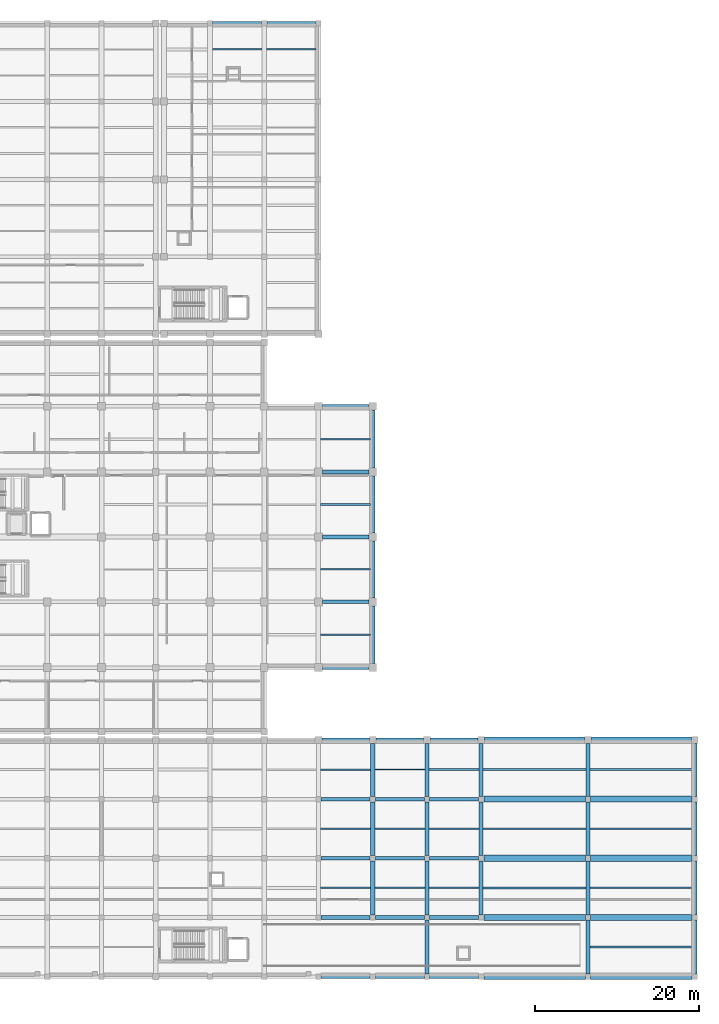
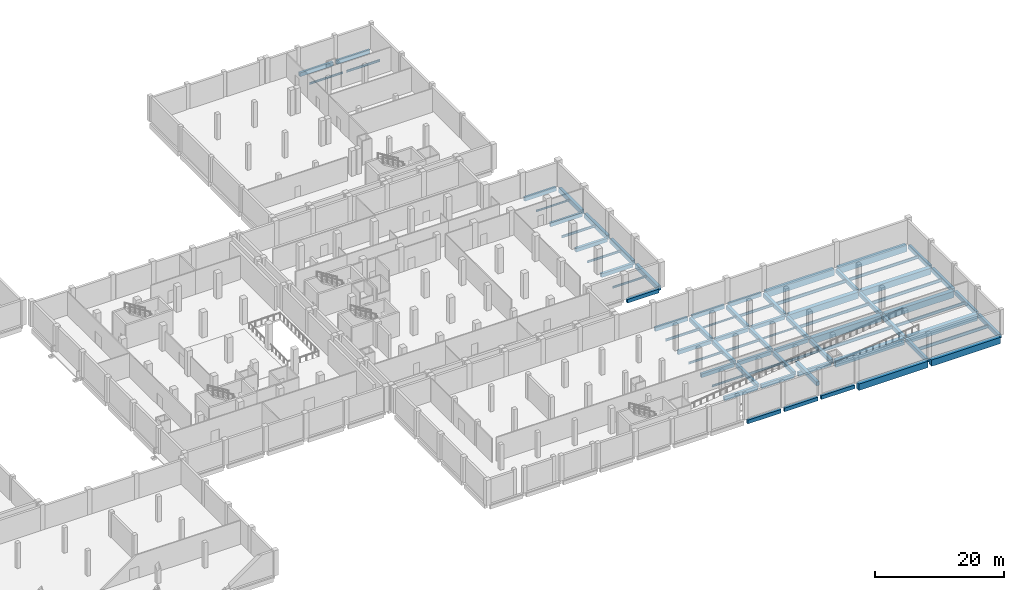
# One storey, part 10 of 31: 76 beams.
"""IFC4 building model written with IfcOpenShell, lengths in metres."""

from ifc_helpers import new_model, si_unit, direction, frame, origin, origin_2d, place, context, subcontext, project, spatial, rectangle, i_section, extrude, material, material_profile, profile_set, type_object, element, save


model = new_model("IFC4")

# Units and contexts
model_context = context("Model", 3, precision=1e-05, world=origin(), true_north=direction((0.0, 1.0)))
body_context = subcontext(model_context, "Body", "Model", "MODEL_VIEW")
ifc_project = project(units=[si_unit("LENGTHUNIT", "METRE"), si_unit("AREAUNIT", "SQUARE_METRE"), si_unit("VOLUMEUNIT", "CUBIC_METRE"), si_unit("PLANEANGLEUNIT", "RADIAN"), si_unit("MASSUNIT", "GRAM", prefix="KILO")], contexts=[model_context])

# Site, building, storey
site_placement = place(None, origin())
site = spatial("IfcSite", under=ifc_project, at=site_placement, CompositionType="ELEMENT")
building_placement = place(site_placement, origin())
building = spatial("IfcBuilding", under=site, at=building_placement, Name="Kelarvand Opera House", CompositionType="ELEMENT")
storey_placement = place(building_placement, frame((0.0, 0.0, -4.800048828125)))
storey = spatial("IfcBuildingStorey", under=building, at=storey_placement, Name="B1", CompositionType="ELEMENT", Elevation=-4.800048828125)

# Beams
ifc_material_1 = material(Name="Concrete C40/50", Category="concrete")
ifc_material_profile_1 = material_profile(ifc_material_1, rectangle(XDim=0.449951171875, YDim=0.699951171875, at=origin_2d()), Name="RC 450x700", Category="concrete")
ifc_profile_set_1 = profile_set([ifc_material_profile_1], Name="Concrete C40/50")
beam_type_1 = type_object("IfcBeamType", Name="Structural Beam RC 450x700 BM-RC450x700", PredefinedType="BEAM", material=ifc_profile_set_1)
for number, where, z_axis, x_axis, name in (
    (1, (135.675048828125, 46.60009765625, -0.64990234375), (1.0, 0.0, 0.0), (0.0, 1.0, 0.0), "V1 B1 Beam BM-RC450x700"),
    (2, (135.675048828125, 54.60009765625, -0.64990234375), (1.0, 0.0, 0.0), (0.0, 1.0, 0.0), "V1 B1 Beam BM-RC450x700"),
    (3, (135.675048828125, 62.5, -0.64990234375), (1.0, 0.0, 0.0), (0.0, 1.0, 0.0), "V1 B1 Beam BM-RC450x700"),
    (4, (135.675048828125, 70.39990234375, -0.64990234375), (1.0, 0.0, 0.0), (0.0, 1.0, 0.0), "V1 B1 Beam BM-RC450x700"),
    (5, (135.675048828125, 78.39990234375, -0.64990234375), (1.0, 0.0, 0.0), (0.0, 1.0, 0.0), "V1 B1 Beam BM-RC450x700"),
):
    element("IfcBeam", number, at=place(storey_placement, frame(where, z_axis=z_axis, x_axis=x_axis)), inside=storey, type_object=beam_type_1, Name=name, PredefinedType="BEAM", context=body_context, shape_type="SweptSolid", body=[
        extrude(rectangle(XDim=0.449951171875, YDim=0.699951171875, at=origin_2d()), origin(), (0.0, 0.0, 1.0), 5.64990234375),
    ])
for number, where, z_axis, x_axis, name in (
    (6, (122.324951171875, 125.0, -0.64990234375), (1.0, 0.0, 0.0), (0.0, 1.0, 0.0), "V5 B1 Beam BM-RC450x700"),
    (7, (128.925048828125, 125.0, -0.64990234375), (1.0, 0.0, 0.0), (0.0, 1.0, 0.0), "V5 B1 Beam BM-RC450x700"),
):
    element("IfcBeam", number, at=place(storey_placement, frame(where, z_axis=z_axis, x_axis=x_axis)), inside=storey, type_object=beam_type_1, Name=name, PredefinedType="BEAM", context=body_context, shape_type="SweptSolid", body=[
        extrude(rectangle(XDim=0.449951171875, YDim=0.699951171875, at=origin_2d()), origin(), (0.0, 0.0, 1.0), 5.949951171875),
    ])
beam_1_placement = place(storey_placement, frame((135.52490234375, 9.0, -0.64990234375), z_axis=(1.0, 0.0, 0.0), x_axis=(0.0, 1.0, 0.0)))
element("IfcBeam", 8, at=beam_1_placement, inside=storey, type_object=beam_type_1, Name="V6 B1 Beam BM-RC450x700", PredefinedType="BEAM", context=body_context, shape_type="SweptSolid", body=[
    extrude(rectangle(XDim=0.449951171875, YDim=0.699951171875, at=origin_2d()), origin(), (0.0, 0.0, 1.0), 5.9501953125),
])
for number, where, z_axis, x_axis, name in (
    (9, (142.125, 9.0, -0.64990234375), (1.0, 0.0, 0.0), (0.0, 1.0, 0.0), "V6 B1 Beam BM-RC450x700"),
    (10, (148.72509765625, 9.0, -0.64990234375), (1.0, 0.0, 0.0), (0.0, 1.0, 0.0), "V6 B1 Beam BM-RC450x700"),
):
    element("IfcBeam", number, at=place(storey_placement, frame(where, z_axis=z_axis, x_axis=x_axis)), inside=storey, type_object=beam_type_1, Name=name, PredefinedType="BEAM", context=body_context, shape_type="SweptSolid", body=[
        extrude(rectangle(XDim=0.449951171875, YDim=0.699951171875, at=origin_2d()), origin(), (0.0, 0.0, 1.0), 5.949951171875),
    ])
beam_2_placement = place(storey_placement, frame((135.52490234375, 16.199951171875, -0.64990234375), z_axis=(1.0, 0.0, 0.0), x_axis=(0.0, 1.0, 0.0)))
element("IfcBeam", 11, at=beam_2_placement, inside=storey, type_object=beam_type_1, Name="V6 B1 Beam BM-RC450x700", PredefinedType="BEAM", context=body_context, shape_type="SweptSolid", body=[
    extrude(rectangle(XDim=0.449951171875, YDim=0.699951171875, at=origin_2d()), origin(), (0.0, 0.0, 1.0), 5.9501953125),
])
for number, where, z_axis, x_axis, name in (
    (12, (142.125, 16.199951171875, -0.64990234375), (1.0, 0.0, 0.0), (0.0, 1.0, 0.0), "V6 B1 Beam BM-RC450x700"),
    (13, (148.72509765625, 16.199951171875, -0.64990234375), (1.0, 0.0, 0.0), (0.0, 1.0, 0.0), "V6 B1 Beam BM-RC450x700"),
):
    element("IfcBeam", number, at=place(storey_placement, frame(where, z_axis=z_axis, x_axis=x_axis)), inside=storey, type_object=beam_type_1, Name=name, PredefinedType="BEAM", context=body_context, shape_type="SweptSolid", body=[
        extrude(rectangle(XDim=0.449951171875, YDim=0.699951171875, at=origin_2d()), origin(), (0.0, 0.0, 1.0), 5.949951171875),
    ])
beam_3_placement = place(storey_placement, frame((135.52490234375, 23.39990234375, -0.64990234375), z_axis=(1.0, 0.0, 0.0), x_axis=(0.0, 1.0, 0.0)))
element("IfcBeam", 14, at=beam_3_placement, inside=storey, type_object=beam_type_1, Name="V6 B1 Beam BM-RC450x700", PredefinedType="BEAM", context=body_context, shape_type="SweptSolid", body=[
    extrude(rectangle(XDim=0.449951171875, YDim=0.699951171875, at=origin_2d()), origin(), (0.0, 0.0, 1.0), 5.9501953125),
])
for number, where, z_axis, x_axis, name in (
    (15, (142.125, 23.39990234375, -0.64990234375), (1.0, 0.0, 0.0), (0.0, 1.0, 0.0), "V6 B1 Beam BM-RC450x700"),
    (16, (148.72509765625, 23.39990234375, -0.64990234375), (1.0, 0.0, 0.0), (0.0, 1.0, 0.0), "V6 B1 Beam BM-RC450x700"),
):
    element("IfcBeam", number, at=place(storey_placement, frame(where, z_axis=z_axis, x_axis=x_axis)), inside=storey, type_object=beam_type_1, Name=name, PredefinedType="BEAM", context=body_context, shape_type="SweptSolid", body=[
        extrude(rectangle(XDim=0.449951171875, YDim=0.699951171875, at=origin_2d()), origin(), (0.0, 0.0, 1.0), 5.949951171875),
    ])
beam_4_placement = place(storey_placement, frame((135.52490234375, 30.60009765625, -0.64990234375), z_axis=(1.0, 0.0, 0.0), x_axis=(0.0, 1.0, 0.0)))
element("IfcBeam", 17, at=beam_4_placement, inside=storey, type_object=beam_type_1, Name="V6 B1 Beam BM-RC450x700", PredefinedType="BEAM", context=body_context, shape_type="SweptSolid", body=[
    extrude(rectangle(XDim=0.449951171875, YDim=0.699951171875, at=origin_2d()), origin(), (0.0, 0.0, 1.0), 5.9501953125),
])
for number, where, z_axis, x_axis, name in (
    (18, (142.125, 30.60009765625, -0.64990234375), (1.0, 0.0, 0.0), (0.0, 1.0, 0.0), "V6 B1 Beam BM-RC450x700"),
    (19, (148.72509765625, 30.60009765625, -0.64990234375), (1.0, 0.0, 0.0), (0.0, 1.0, 0.0), "V6 B1 Beam BM-RC450x700"),
):
    element("IfcBeam", number, at=place(storey_placement, frame(where, z_axis=z_axis, x_axis=x_axis)), inside=storey, type_object=beam_type_1, Name=name, PredefinedType="BEAM", context=body_context, shape_type="SweptSolid", body=[
        extrude(rectangle(XDim=0.449951171875, YDim=0.699951171875, at=origin_2d()), origin(), (0.0, 0.0, 1.0), 5.949951171875),
    ])
beam_5_placement = place(storey_placement, frame((135.610107421875, 37.800048828125, -0.64990234375), z_axis=(1.0, 0.0, 0.0), x_axis=(0.0, 1.0, 0.0)))
element("IfcBeam", 20, at=beam_5_placement, inside=storey, type_object=beam_type_1, Name="V6 B1 Beam BM-RC450x700", PredefinedType="BEAM", context=body_context, shape_type="SweptSolid", body=[
    extrude(rectangle(XDim=0.449951171875, YDim=0.699951171875, at=origin_2d()), origin(), (0.0, 0.0, 1.0), 5.77978515625),
])
for number, where, z_axis, x_axis, name in (
    (21, (142.2099609375, 37.800048828125, -0.64990234375), (1.0, 0.0, 0.0), (0.0, 1.0, 0.0), "V6 B1 Beam BM-RC450x700"),
    (22, (148.81005859375, 37.800048828125, -0.64990234375), (1.0, 0.0, 0.0), (0.0, 1.0, 0.0), "V6 B1 Beam BM-RC450x700"),
):
    element("IfcBeam", number, at=place(storey_placement, frame(where, z_axis=z_axis, x_axis=x_axis)), inside=storey, type_object=beam_type_1, Name=name, PredefinedType="BEAM", context=body_context, shape_type="SweptSolid", body=[
        extrude(rectangle(XDim=0.449951171875, YDim=0.699951171875, at=origin_2d()), origin(), (0.0, 0.0, 1.0), 5.780029296875),
    ])
ifc_material_profile_2 = material_profile(ifc_material_1, rectangle(XDim=0.5, YDim=0.75, at=origin_2d()), Name="RC 500x750", Category="concrete")
ifc_profile_set_2 = profile_set([ifc_material_profile_2], Name="Concrete C40/50")
beam_type_2 = type_object("IfcBeamType", Name="Structural Beam RC 500x750 BM-RC500x750", PredefinedType="BEAM", material=ifc_profile_set_2)
beam_6_placement = place(storey_placement, frame((141.800048828125, 16.52490234375, -0.675048828125), z_axis=(0.0, 1.0, 0.0), x_axis=(-1.0, 0.0, 0.0)))
element("IfcBeam", 23, at=beam_6_placement, inside=storey, type_object=beam_type_2, Name="V6 B1 Beam BM-RC500x750", PredefinedType="BEAM", context=body_context, shape_type="SweptSolid", body=[
    extrude(rectangle(XDim=0.5, YDim=0.75, at=origin_2d()), origin(), (0.0, 0.0, 1.0), 6.550048828125),
])
beam_7_placement = place(storey_placement, frame((141.800048828125, 23.72509765625, -0.675048828125), z_axis=(0.0, 1.0, 0.0), x_axis=(-1.0, 0.0, 0.0)))
element("IfcBeam", 24, at=beam_7_placement, inside=storey, type_object=beam_type_2, Name="V6 B1 Beam BM-RC500x750", PredefinedType="BEAM", context=body_context, shape_type="SweptSolid", body=[
    extrude(rectangle(XDim=0.5, YDim=0.75, at=origin_2d()), origin(), (0.0, 0.0, 1.0), 6.5498046875),
])
beam_8_placement = place(storey_placement, frame((141.800048828125, 30.925048828125, -0.675048828125), z_axis=(0.0, 1.0, 0.0), x_axis=(-1.0, 0.0, 0.0)))
element("IfcBeam", 25, at=beam_8_placement, inside=storey, type_object=beam_type_2, Name="V6 B1 Beam BM-RC500x750", PredefinedType="BEAM", context=body_context, shape_type="SweptSolid", body=[
    extrude(rectangle(XDim=0.5, YDim=0.75, at=origin_2d()), origin(), (0.0, 0.0, 1.0), 6.46484375),
])
beam_9_placement = place(storey_placement, frame((148.39990234375, 16.52490234375, -0.675048828125), z_axis=(0.0, 1.0, 0.0), x_axis=(-1.0, 0.0, 0.0)))
element("IfcBeam", 26, at=beam_9_placement, inside=storey, type_object=beam_type_2, Name="V6 B1 Beam BM-RC500x750", PredefinedType="BEAM", context=body_context, shape_type="SweptSolid", body=[
    extrude(rectangle(XDim=0.5, YDim=0.75, at=origin_2d()), origin(), (0.0, 0.0, 1.0), 6.550048828125),
])
beam_10_placement = place(storey_placement, frame((148.39990234375, 23.72509765625, -0.675048828125), z_axis=(0.0, 1.0, 0.0), x_axis=(-1.0, 0.0, 0.0)))
element("IfcBeam", 27, at=beam_10_placement, inside=storey, type_object=beam_type_2, Name="V6 B1 Beam BM-RC500x750", PredefinedType="BEAM", context=body_context, shape_type="SweptSolid", body=[
    extrude(rectangle(XDim=0.5, YDim=0.75, at=origin_2d()), origin(), (0.0, 0.0, 1.0), 6.5498046875),
])
beam_11_placement = place(storey_placement, frame((148.39990234375, 30.925048828125, -0.675048828125), z_axis=(0.0, 1.0, 0.0), x_axis=(-1.0, 0.0, 0.0)))
element("IfcBeam", 28, at=beam_11_placement, inside=storey, type_object=beam_type_2, Name="V6 B1 Beam BM-RC500x750", PredefinedType="BEAM", context=body_context, shape_type="SweptSolid", body=[
    extrude(rectangle(XDim=0.5, YDim=0.75, at=origin_2d()), origin(), (0.0, 0.0, 1.0), 6.46484375),
])
beam_12_placement = place(storey_placement, frame((155.0, 16.52490234375, -0.675048828125), z_axis=(0.0, 1.0, 0.0), x_axis=(-1.0, 0.0, 0.0)))
element("IfcBeam", 29, at=beam_12_placement, inside=storey, type_object=beam_type_2, Name="V6 B1 Beam BM-RC500x750", PredefinedType="BEAM", context=body_context, shape_type="SweptSolid", body=[
    extrude(rectangle(XDim=0.5, YDim=0.75, at=origin_2d()), origin(), (0.0, 0.0, 1.0), 6.550048828125),
])
beam_13_placement = place(storey_placement, frame((155.0, 23.72509765625, -0.675048828125), z_axis=(0.0, 1.0, 0.0), x_axis=(-1.0, 0.0, 0.0)))
element("IfcBeam", 30, at=beam_13_placement, inside=storey, type_object=beam_type_2, Name="V6 B1 Beam BM-RC500x750", PredefinedType="BEAM", context=body_context, shape_type="SweptSolid", body=[
    extrude(rectangle(XDim=0.5, YDim=0.75, at=origin_2d()), origin(), (0.0, 0.0, 1.0), 6.5498046875),
])
beam_14_placement = place(storey_placement, frame((155.0, 30.925048828125, -0.675048828125), z_axis=(0.0, 1.0, 0.0), x_axis=(-1.0, 0.0, 0.0)))
element("IfcBeam", 31, at=beam_14_placement, inside=storey, type_object=beam_type_2, Name="V6 B1 Beam BM-RC500x750", PredefinedType="BEAM", context=body_context, shape_type="SweptSolid", body=[
    extrude(rectangle(XDim=0.5, YDim=0.75, at=origin_2d()), origin(), (0.0, 0.0, 1.0), 6.46484375),
])
for number, where, z_axis, x_axis, name in (
    (32, (168.0, 9.324951171875, -0.675048828125), (0.0, 1.0, 0.0), (-1.0, 0.0, 0.0), "V6 B1 Beam BM-RC500x750"),
    (33, (168.0, 16.52490234375, -0.675048828125), (0.0, 1.0, 0.0), (-1.0, 0.0, 0.0), "V6 B1 Beam BM-RC500x750"),
):
    element("IfcBeam", number, at=place(storey_placement, frame(where, z_axis=z_axis, x_axis=x_axis)), inside=storey, type_object=beam_type_2, Name=name, PredefinedType="BEAM", context=body_context, shape_type="SweptSolid", body=[
        extrude(rectangle(XDim=0.5, YDim=0.75, at=origin_2d()), origin(), (0.0, 0.0, 1.0), 6.550048828125),
    ])
beam_15_placement = place(storey_placement, frame((168.0, 23.72509765625, -0.675048828125), z_axis=(0.0, 1.0, 0.0), x_axis=(-1.0, 0.0, 0.0)))
element("IfcBeam", 34, at=beam_15_placement, inside=storey, type_object=beam_type_2, Name="V6 B1 Beam BM-RC500x750", PredefinedType="BEAM", context=body_context, shape_type="SweptSolid", body=[
    extrude(rectangle(XDim=0.5, YDim=0.75, at=origin_2d()), origin(), (0.0, 0.0, 1.0), 6.5498046875),
])
beam_16_placement = place(storey_placement, frame((168.0, 30.925048828125, -0.675048828125), z_axis=(0.0, 1.0, 0.0), x_axis=(-1.0, 0.0, 0.0)))
element("IfcBeam", 35, at=beam_16_placement, inside=storey, type_object=beam_type_2, Name="V6 B1 Beam BM-RC500x750", PredefinedType="BEAM", context=body_context, shape_type="SweptSolid", body=[
    extrude(rectangle(XDim=0.5, YDim=0.75, at=origin_2d()), origin(), (0.0, 0.0, 1.0), 6.46484375),
])
for number, where, z_axis, x_axis, name in (
    (36, (181.0, 9.324951171875, -0.675048828125), (0.0, 1.0, 0.0), (-1.0, 0.0, 0.0), "V6 B1 Beam BM-RC500x750"),
    (37, (181.0, 16.52490234375, -0.675048828125), (0.0, 1.0, 0.0), (-1.0, 0.0, 0.0), "V6 B1 Beam BM-RC500x750"),
):
    element("IfcBeam", number, at=place(storey_placement, frame(where, z_axis=z_axis, x_axis=x_axis)), inside=storey, type_object=beam_type_2, Name=name, PredefinedType="BEAM", context=body_context, shape_type="SweptSolid", body=[
        extrude(rectangle(XDim=0.5, YDim=0.75, at=origin_2d()), origin(), (0.0, 0.0, 1.0), 6.550048828125),
    ])
beam_17_placement = place(storey_placement, frame((181.0, 23.72509765625, -0.675048828125), z_axis=(0.0, 1.0, 0.0), x_axis=(-1.0, 0.0, 0.0)))
element("IfcBeam", 38, at=beam_17_placement, inside=storey, type_object=beam_type_2, Name="V6 B1 Beam BM-RC500x750", PredefinedType="BEAM", context=body_context, shape_type="SweptSolid", body=[
    extrude(rectangle(XDim=0.5, YDim=0.75, at=origin_2d()), origin(), (0.0, 0.0, 1.0), 6.5498046875),
])
beam_18_placement = place(storey_placement, frame((181.0, 30.925048828125, -0.675048828125), z_axis=(0.0, 1.0, 0.0), x_axis=(-1.0, 0.0, 0.0)))
element("IfcBeam", 39, at=beam_18_placement, inside=storey, type_object=beam_type_2, Name="V6 B1 Beam BM-RC500x750", PredefinedType="BEAM", context=body_context, shape_type="SweptSolid", body=[
    extrude(rectangle(XDim=0.5, YDim=0.75, at=origin_2d()), origin(), (0.0, 0.0, 1.0), 6.46484375),
])
beam_19_placement = place(storey_placement, frame((148.39990234375, 9.324951171875, 1.795166015625), z_axis=(0.0, 1.0, 0.0), x_axis=(-1.0, 0.0, 0.0)))
element("IfcBeam", 40, at=beam_19_placement, inside=storey, type_object=beam_type_2, Name="Vehicle Ramp Midspan Support Beam", PredefinedType="BEAM", context=body_context, shape_type="SweptSolid", body=[
    extrude(rectangle(XDim=0.5, YDim=0.75, at=origin_2d()), origin(), (0.0, 0.0, 1.0), 6.550048828125),
])
ifc_material_profile_3 = material_profile(ifc_material_1, rectangle(XDim=0.550048828125, YDim=0.85009765625, at=origin_2d()), Name="RC 550x850", Category="concrete")
ifc_profile_set_3 = profile_set([ifc_material_profile_3], Name="Concrete C40/50")
beam_type_3 = type_object("IfcBeamType", Name="Structural Beam RC 550x850 BM-RC550x850", PredefinedType="BEAM", material=ifc_profile_set_3)
beam_20_placement = place(storey_placement, frame((141.800048828125, 47.074951171875, -0.724853515625), z_axis=(0.0, 1.0, 0.0), x_axis=(-1.0, 0.0, 0.0)))
element("IfcBeam", 41, at=beam_20_placement, inside=storey, type_object=beam_type_3, Name="V1 B1 Beam BM-RC550x850", PredefinedType="BEAM", context=body_context, shape_type="SweptSolid", body=[
    extrude(rectangle(XDim=0.550048828125, YDim=0.85009765625, at=origin_2d()), origin(), (0.0, 0.0, 1.0), 7.050048828125),
])
for number, where, z_axis, x_axis, name in (
    (42, (141.800048828125, 55.074951171875, -0.724853515625), (0.0, 1.0, 0.0), (-1.0, 0.0, 0.0), "V1 B1 Beam BM-RC550x850"),
    (43, (141.800048828125, 62.97509765625, -0.724853515625), (0.0, 1.0, 0.0), (-1.0, 0.0, 0.0), "V1 B1 Beam BM-RC550x850"),
):
    element("IfcBeam", number, at=place(storey_placement, frame(where, z_axis=z_axis, x_axis=x_axis)), inside=storey, type_object=beam_type_3, Name=name, PredefinedType="BEAM", context=body_context, shape_type="SweptSolid", body=[
        extrude(rectangle(XDim=0.550048828125, YDim=0.85009765625, at=origin_2d()), origin(), (0.0, 0.0, 1.0), 6.949951171875),
    ])
beam_21_placement = place(storey_placement, frame((141.800048828125, 70.875, -0.724853515625), z_axis=(0.0, 1.0, 0.0), x_axis=(-1.0, 0.0, 0.0)))
element("IfcBeam", 44, at=beam_21_placement, inside=storey, type_object=beam_type_3, Name="V1 B1 Beam BM-RC550x850", PredefinedType="BEAM", context=body_context, shape_type="SweptSolid", body=[
    extrude(rectangle(XDim=0.550048828125, YDim=0.85009765625, at=origin_2d()), origin(), (0.0, 0.0, 1.0), 7.050048828125),
])
ifc_material_profile_4 = material_profile(ifc_material_1, rectangle(XDim=0.75, YDim=1.199951171875, at=origin_2d()), Name="RC 750x1200", Category="concrete")
ifc_profile_set_4 = profile_set([ifc_material_profile_4], Name="Concrete C40/50")
beam_type_4 = type_object("IfcBeamType", Name="Structural Beam RC 750x1200 BM-RC750x1200", PredefinedType="BEAM", material=ifc_profile_set_4)
for number, where, z_axis, x_axis, name in (
    (45, (155.324951171875, 9.0, -0.89990234375), (1.0, 0.0, 0.0), (0.0, 1.0, 0.0), "V6 B1 Beam BM-RC750x1200"),
    (46, (168.324951171875, 9.0, -0.89990234375), (1.0, 0.0, 0.0), (0.0, 1.0, 0.0), "V6 B1 Beam BM-RC750x1200"),
    (47, (155.324951171875, 16.199951171875, -0.89990234375), (1.0, 0.0, 0.0), (0.0, 1.0, 0.0), "V6 B1 Beam BM-RC750x1200"),
    (48, (168.324951171875, 16.199951171875, -0.89990234375), (1.0, 0.0, 0.0), (0.0, 1.0, 0.0), "V6 B1 Beam BM-RC750x1200"),
    (49, (155.324951171875, 23.39990234375, -0.89990234375), (1.0, 0.0, 0.0), (0.0, 1.0, 0.0), "V6 B1 Beam BM-RC750x1200"),
    (50, (168.324951171875, 23.39990234375, -0.89990234375), (1.0, 0.0, 0.0), (0.0, 1.0, 0.0), "V6 B1 Beam BM-RC750x1200"),
    (51, (155.324951171875, 30.60009765625, -0.89990234375), (1.0, 0.0, 0.0), (0.0, 1.0, 0.0), "V6 B1 Beam BM-RC750x1200"),
    (52, (168.324951171875, 30.60009765625, -0.89990234375), (1.0, 0.0, 0.0), (0.0, 1.0, 0.0), "V6 B1 Beam BM-RC750x1200"),
):
    element("IfcBeam", number, at=place(storey_placement, frame(where, z_axis=z_axis, x_axis=x_axis)), inside=storey, type_object=beam_type_4, Name=name, PredefinedType="BEAM", context=body_context, shape_type="SweptSolid", body=[
        extrude(rectangle(XDim=0.75, YDim=1.199951171875, at=origin_2d()), origin(), (0.0, 0.0, 1.0), 12.35009765625),
    ])
for number, where, z_axis, x_axis, name in (
    (53, (155.409912109375, 37.800048828125, -0.89990234375), (1.0, 0.0, 0.0), (0.0, 1.0, 0.0), "V6 B1 Beam BM-RC750x1200"),
    (54, (168.409912109375, 37.800048828125, -0.89990234375), (1.0, 0.0, 0.0), (0.0, 1.0, 0.0), "V6 B1 Beam BM-RC750x1200"),
):
    element("IfcBeam", number, at=place(storey_placement, frame(where, z_axis=z_axis, x_axis=x_axis)), inside=storey, type_object=beam_type_4, Name=name, PredefinedType="BEAM", context=body_context, shape_type="SweptSolid", body=[
        extrude(rectangle(XDim=0.75, YDim=1.199951171875, at=origin_2d()), origin(), (0.0, 0.0, 1.0), 12.18017578125),
    ])
ifc_material_2 = material(Name="Steel S355", Category="steel")
ifc_material_profile_5 = material_profile(ifc_material_2, i_section(OverallWidth=0.159912109375, OverallDepth=0.330078125, WebThickness=0.007568359375, FlangeThickness=0.011474609375, at=origin_2d()), Name="IPE 330", Category="steel")
ifc_profile_set_5 = profile_set([ifc_material_profile_5], Name="Steel S355")
beam_type_5 = type_object("IfcBeamType", Name="Structural Joist IPE 330 JS-IPE330", PredefinedType="JOIST", material=ifc_profile_set_5)
beam_22_placement = place(storey_placement, frame((135.47509765625, 74.39990234375, -0.46484375), z_axis=(1.0, 0.0, 0.0), x_axis=(0.0, 1.0, 0.0)))
element("IfcBeam", 55, at=beam_22_placement, inside=storey, type_object=beam_type_5, Name="V1 B1 Beam JS-IPE330", PredefinedType="JOIST", context=body_context, shape_type="SweptSolid", body=[
    extrude(i_section(OverallWidth=0.159912109375, OverallDepth=0.330078125, WebThickness=0.007568359375, FlangeThickness=0.011474609375, at=origin_2d()), origin(), (0.0, 0.0, 1.0), 6.0498046875),
])
beam_23_placement = place(storey_placement, frame((142.050048828125, 34.199951171875, -0.46484375), z_axis=(1.0, 0.0, 0.0), x_axis=(0.0, 1.0, 0.0)))
element("IfcBeam", 56, at=beam_23_placement, inside=storey, type_object=beam_type_5, Name="V6 B1 Beam JS-IPE330", PredefinedType="JOIST", context=body_context, shape_type="SweptSolid", body=[
    extrude(i_section(OverallWidth=0.159912109375, OverallDepth=0.330078125, WebThickness=0.007568359375, FlangeThickness=0.011474609375, at=origin_2d()), origin(), (0.0, 0.0, 1.0), 6.099853515625),
])
beam_24_placement = place(storey_placement, frame((148.64990234375, 27.0, -0.46484375), z_axis=(1.0, 0.0, 0.0), x_axis=(0.0, 1.0, 0.0)))
element("IfcBeam", 57, at=beam_24_placement, inside=storey, type_object=beam_type_5, Name="V6 B1 Beam JS-IPE330", PredefinedType="JOIST", context=body_context, shape_type="SweptSolid", body=[
    extrude(i_section(OverallWidth=0.159912109375, OverallDepth=0.330078125, WebThickness=0.007568359375, FlangeThickness=0.011474609375, at=origin_2d()), origin(), (0.0, 0.0, 1.0), 6.10009765625),
])
ifc_material_profile_6 = material_profile(ifc_material_2, i_section(OverallWidth=0.169921875, OverallDepth=0.360107421875, WebThickness=0.008056640625, FlangeThickness=0.0126953125, at=origin_2d()), Name="IPE 360", Category="steel")
ifc_profile_set_6 = profile_set([ifc_material_profile_6], Name="Steel S355")
beam_type_6 = type_object("IfcBeamType", Name="Structural Joist IPE 360 JS-IPE360", PredefinedType="JOIST", material=ifc_profile_set_6)
beam_25_placement = place(storey_placement, frame((135.47509765625, 50.60009765625, -0.47998046875), z_axis=(1.0, 0.0, 0.0), x_axis=(0.0, 1.0, 0.0)))
element("IfcBeam", 58, at=beam_25_placement, inside=storey, type_object=beam_type_6, Name="V1 B1 Beam JS-IPE360", PredefinedType="JOIST", context=body_context, shape_type="SweptSolid", body=[
    extrude(i_section(OverallWidth=0.169921875, OverallDepth=0.360107421875, WebThickness=0.008056640625, FlangeThickness=0.0126953125, at=origin_2d()), origin(), (0.0, 0.0, 1.0), 6.0498046875),
])
beam_26_placement = place(storey_placement, frame((122.300048828125, 121.833251953125, -0.47998046875), z_axis=(1.0, 0.0, 0.0), x_axis=(0.0, 1.0, 0.0)))
element("IfcBeam", 59, at=beam_26_placement, inside=storey, type_object=beam_type_6, Name="V5 B1 Beam JS-IPE360", PredefinedType="JOIST", context=body_context, shape_type="SweptSolid", body=[
    extrude(i_section(OverallWidth=0.169921875, OverallDepth=0.360107421875, WebThickness=0.008056640625, FlangeThickness=0.0126953125, at=origin_2d()), origin(), (0.0, 0.0, 1.0), 6.0),
])
beam_27_placement = place(storey_placement, frame((135.449951171875, 19.800048828125, -0.47998046875), z_axis=(1.0, 0.0, 0.0), x_axis=(0.0, 1.0, 0.0)))
element("IfcBeam", 60, at=beam_27_placement, inside=storey, type_object=beam_type_6, Name="V6 B1 Beam JS-IPE360", PredefinedType="JOIST", context=body_context, shape_type="SweptSolid", body=[
    extrude(i_section(OverallWidth=0.169921875, OverallDepth=0.360107421875, WebThickness=0.008056640625, FlangeThickness=0.0126953125, at=origin_2d()), origin(), (0.0, 0.0, 1.0), 6.10009765625),
])
ifc_material_profile_7 = material_profile(ifc_material_2, i_section(OverallWidth=0.179931640625, OverallDepth=0.39990234375, WebThickness=0.008544921875, FlangeThickness=0.013427734375, at=origin_2d()), Name="IPE 400", Category="steel")
ifc_profile_set_7 = profile_set([ifc_material_profile_7], Name="Steel S355")
beam_type_7 = type_object("IfcBeamType", Name="Structural Joist IPE 400 JS-IPE400", PredefinedType="JOIST", material=ifc_profile_set_7)
beam_28_placement = place(storey_placement, frame((135.47509765625, 58.550048828125, -0.5), z_axis=(1.0, 0.0, 0.0), x_axis=(0.0, 1.0, 0.0)))
element("IfcBeam", 61, at=beam_28_placement, inside=storey, type_object=beam_type_7, Name="V1 B1 Beam JS-IPE400", PredefinedType="JOIST", context=body_context, shape_type="SweptSolid", body=[
    extrude(i_section(OverallWidth=0.179931640625, OverallDepth=0.39990234375, WebThickness=0.008544921875, FlangeThickness=0.013427734375, at=origin_2d()), origin(), (0.0, 0.0, 1.0), 6.0498046875),
])
beam_29_placement = place(storey_placement, frame((128.89990234375, 121.833251953125, -0.5), z_axis=(1.0, 0.0, 0.0), x_axis=(0.0, 1.0, 0.0)))
element("IfcBeam", 62, at=beam_29_placement, inside=storey, type_object=beam_type_7, Name="V5 B1 Beam JS-IPE400", PredefinedType="JOIST", context=body_context, shape_type="SweptSolid", body=[
    extrude(i_section(OverallWidth=0.179931640625, OverallDepth=0.39990234375, WebThickness=0.008544921875, FlangeThickness=0.013427734375, at=origin_2d()), origin(), (0.0, 0.0, 1.0), 6.0),
])
beam_30_placement = place(storey_placement, frame((135.449951171875, 27.0, -0.5), z_axis=(1.0, 0.0, 0.0), x_axis=(0.0, 1.0, 0.0)))
element("IfcBeam", 63, at=beam_30_placement, inside=storey, type_object=beam_type_7, Name="V6 B1 Beam JS-IPE400", PredefinedType="JOIST", context=body_context, shape_type="SweptSolid", body=[
    extrude(i_section(OverallWidth=0.179931640625, OverallDepth=0.39990234375, WebThickness=0.008544921875, FlangeThickness=0.013427734375, at=origin_2d()), origin(), (0.0, 0.0, 1.0), 6.10009765625),
])
beam_31_placement = place(storey_placement, frame((142.050048828125, 19.800048828125, -0.5), z_axis=(1.0, 0.0, 0.0), x_axis=(0.0, 1.0, 0.0)))
element("IfcBeam", 64, at=beam_31_placement, inside=storey, type_object=beam_type_7, Name="V6 B1 Beam JS-IPE400", PredefinedType="JOIST", context=body_context, shape_type="SweptSolid", body=[
    extrude(i_section(OverallWidth=0.179931640625, OverallDepth=0.39990234375, WebThickness=0.008544921875, FlangeThickness=0.013427734375, at=origin_2d()), origin(), (0.0, 0.0, 1.0), 6.099853515625),
])
ifc_material_profile_8 = material_profile(ifc_material_2, i_section(OverallWidth=0.18994140625, OverallDepth=0.449951171875, WebThickness=0.009521484375, FlangeThickness=0.0146484375, at=origin_2d()), Name="IPE 450", Category="steel")
ifc_profile_set_8 = profile_set([ifc_material_profile_8], Name="Steel S355")
beam_type_8 = type_object("IfcBeamType", Name="Structural Joist IPE 450 JS-IPE450", PredefinedType="JOIST", material=ifc_profile_set_8)
beam_32_placement = place(storey_placement, frame((135.47509765625, 66.449951171875, -0.52490234375), z_axis=(1.0, 0.0, 0.0), x_axis=(0.0, 1.0, 0.0)))
element("IfcBeam", 65, at=beam_32_placement, inside=storey, type_object=beam_type_8, Name="V1 B1 Beam JS-IPE450", PredefinedType="JOIST", context=body_context, shape_type="SweptSolid", body=[
    extrude(i_section(OverallWidth=0.18994140625, OverallDepth=0.449951171875, WebThickness=0.009521484375, FlangeThickness=0.0146484375, at=origin_2d()), origin(), (0.0, 0.0, 1.0), 6.0498046875),
])
beam_33_placement = place(storey_placement, frame((135.449951171875, 34.199951171875, -0.52490234375), z_axis=(1.0, 0.0, 0.0), x_axis=(0.0, 1.0, 0.0)))
element("IfcBeam", 66, at=beam_33_placement, inside=storey, type_object=beam_type_8, Name="V6 B1 Beam JS-IPE450", PredefinedType="JOIST", context=body_context, shape_type="SweptSolid", body=[
    extrude(i_section(OverallWidth=0.18994140625, OverallDepth=0.449951171875, WebThickness=0.009521484375, FlangeThickness=0.0146484375, at=origin_2d()), origin(), (0.0, 0.0, 1.0), 6.10009765625),
])
beam_34_placement = place(storey_placement, frame((142.050048828125, 27.0, -0.52490234375), z_axis=(1.0, 0.0, 0.0), x_axis=(0.0, 1.0, 0.0)))
element("IfcBeam", 67, at=beam_34_placement, inside=storey, type_object=beam_type_8, Name="V6 B1 Beam JS-IPE450", PredefinedType="JOIST", context=body_context, shape_type="SweptSolid", body=[
    extrude(i_section(OverallWidth=0.18994140625, OverallDepth=0.449951171875, WebThickness=0.009521484375, FlangeThickness=0.0146484375, at=origin_2d()), origin(), (0.0, 0.0, 1.0), 6.099853515625),
])
beam_35_placement = place(storey_placement, frame((148.64990234375, 19.800048828125, -0.52490234375), z_axis=(1.0, 0.0, 0.0), x_axis=(0.0, 1.0, 0.0)))
element("IfcBeam", 68, at=beam_35_placement, inside=storey, type_object=beam_type_8, Name="V6 B1 Beam JS-IPE450", PredefinedType="JOIST", context=body_context, shape_type="SweptSolid", body=[
    extrude(i_section(OverallWidth=0.18994140625, OverallDepth=0.449951171875, WebThickness=0.009521484375, FlangeThickness=0.0146484375, at=origin_2d()), origin(), (0.0, 0.0, 1.0), 6.10009765625),
])
ifc_material_profile_9 = material_profile(ifc_material_2, i_section(OverallWidth=0.199951171875, OverallDepth=0.5, WebThickness=0.01025390625, FlangeThickness=0.01611328125, at=origin_2d()), Name="IPE 500", Category="steel")
ifc_profile_set_9 = profile_set([ifc_material_profile_9], Name="Steel S355")
beam_type_9 = type_object("IfcBeamType", Name="Structural Joist IPE 500 JS-IPE500", PredefinedType="JOIST", material=ifc_profile_set_9)
beam_36_placement = place(storey_placement, frame((148.64990234375, 34.199951171875, -0.550048828125), z_axis=(1.0, 0.0, 0.0), x_axis=(0.0, 1.0, 0.0)))
element("IfcBeam", 69, at=beam_36_placement, inside=storey, type_object=beam_type_9, Name="V6 B1 Beam JS-IPE500", PredefinedType="JOIST", context=body_context, shape_type="SweptSolid", body=[
    extrude(i_section(OverallWidth=0.199951171875, OverallDepth=0.5, WebThickness=0.01025390625, FlangeThickness=0.01611328125, at=origin_2d()), origin(), (0.0, 0.0, 1.0), 6.10009765625),
])
ifc_material_profile_10 = material_profile(ifc_material_2, i_section(OverallWidth=0.2099609375, OverallDepth=0.550048828125, WebThickness=0.010986328125, FlangeThickness=0.01708984375, at=origin_2d()), Name="IPE 550", Category="steel")
ifc_profile_set_10 = profile_set([ifc_material_profile_10], Name="Steel S355")
beam_type_10 = type_object("IfcBeamType", Name="Structural Joist IPE 550 JS-IPE550", PredefinedType="JOIST", material=ifc_profile_set_10)
for number, where, z_axis, x_axis, name in (
    (70, (155.25, 27.0, -0.574951171875), (1.0, 0.0, 0.0), (0.0, 1.0, 0.0), "V6 B1 Beam JS-IPE550"),
    (71, (168.25, 19.800048828125, -0.574951171875), (1.0, 0.0, 0.0), (0.0, 1.0, 0.0), "V6 B1 Beam JS-IPE550"),
    (72, (168.25, 34.199951171875, -0.574951171875), (1.0, 0.0, 0.0), (0.0, 1.0, 0.0), "V6 B1 Beam JS-IPE550"),
):
    element("IfcBeam", number, at=place(storey_placement, frame(where, z_axis=z_axis, x_axis=x_axis)), inside=storey, type_object=beam_type_10, Name=name, PredefinedType="JOIST", context=body_context, shape_type="SweptSolid", body=[
        extrude(i_section(OverallWidth=0.2099609375, OverallDepth=0.550048828125, WebThickness=0.010986328125, FlangeThickness=0.01708984375, at=origin_2d()), origin(), (0.0, 0.0, 1.0), 12.5),
    ])
ifc_material_profile_11 = material_profile(ifc_material_2, i_section(OverallWidth=0.219970703125, OverallDepth=0.60009765625, WebThickness=0.011962890625, FlangeThickness=0.01904296875, at=origin_2d()), Name="IPE 600", Category="steel")
ifc_profile_set_11 = profile_set([ifc_material_profile_11], Name="Steel S355")
beam_type_11 = type_object("IfcBeamType", Name="Structural Joist IPE 600 JS-IPE600", PredefinedType="JOIST", material=ifc_profile_set_11)
for number, where, z_axis, x_axis, name in (
    (73, (155.25, 19.800048828125, -0.599853515625), (1.0, 0.0, 0.0), (0.0, 1.0, 0.0), "V6 B1 Beam JS-IPE600"),
    (74, (155.25, 34.199951171875, -0.599853515625), (1.0, 0.0, 0.0), (0.0, 1.0, 0.0), "V6 B1 Beam JS-IPE600"),
    (75, (168.25, 12.60009765625, -0.599853515625), (1.0, 0.0, 0.0), (0.0, 1.0, 0.0), "V6 B1 Beam JS-IPE600"),
    (76, (168.25, 27.0, -0.599853515625), (1.0, 0.0, 0.0), (0.0, 1.0, 0.0), "V6 B1 Beam JS-IPE600"),
):
    element("IfcBeam", number, at=place(storey_placement, frame(where, z_axis=z_axis, x_axis=x_axis)), inside=storey, type_object=beam_type_11, Name=name, PredefinedType="JOIST", context=body_context, shape_type="SweptSolid", body=[
        extrude(i_section(OverallWidth=0.219970703125, OverallDepth=0.60009765625, WebThickness=0.011962890625, FlangeThickness=0.01904296875, at=origin_2d()), origin(), (0.0, 0.0, 1.0), 12.5),
    ])

save(model, "model.ifc")
